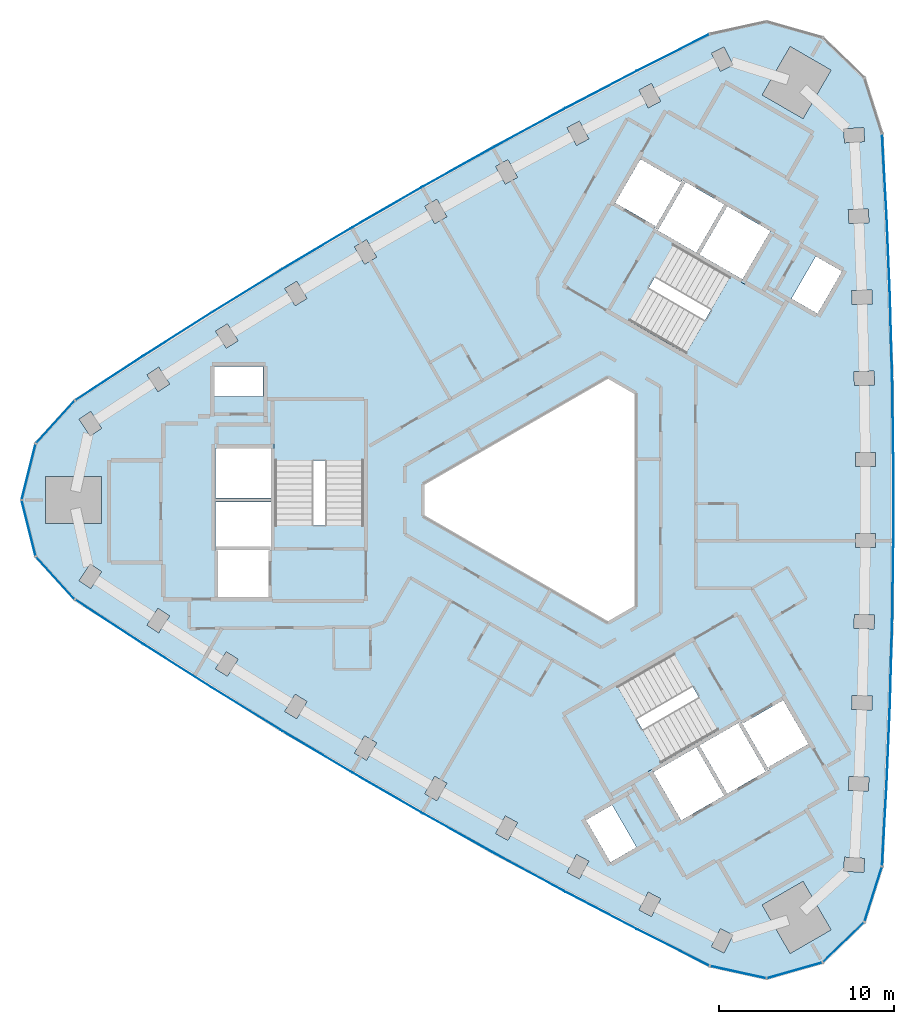
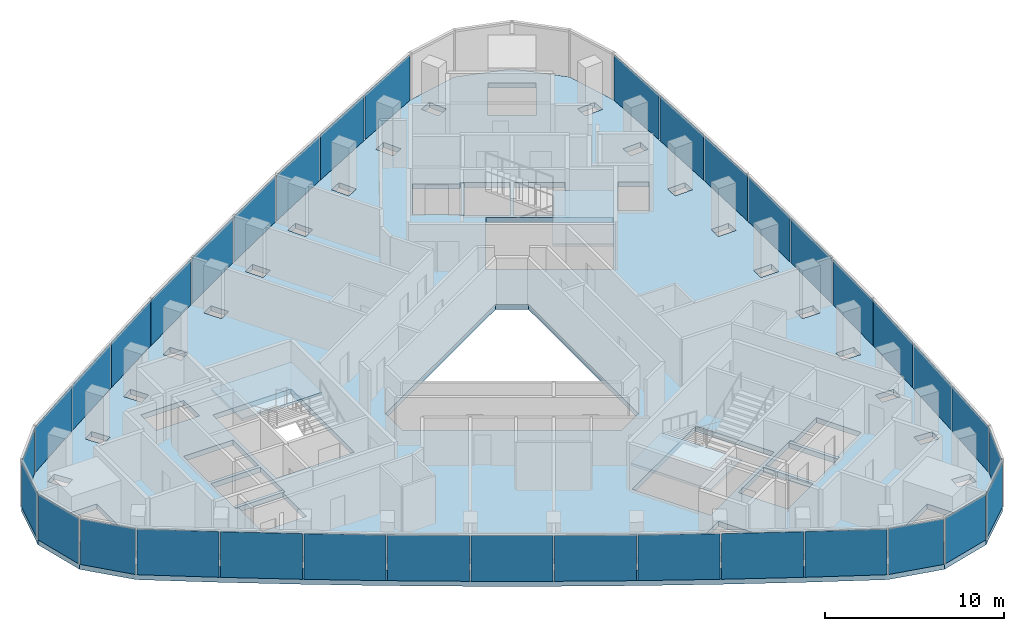
# One storey, part 6 of 12: 35 plates, 4 slabs, 6 elements without a shape of their own.
"""IFC4 building model written with IfcOpenShell, lengths in metres."""

from ifc_helpers import new_model, si_unit, direction, frame, origin, origin_2d, place, context, subcontext, project, spatial, polyline, rectangle, outline, extrude, material, layer, layer_set, type_object, element, aggregate, save


model = new_model("IFC4")

# Units and contexts
model_context = context("Model", 3, precision=1e-05, world=origin(), true_north=direction((0.0, 1.0)))
body_context = subcontext(model_context, "Body", "Model", "MODEL_VIEW")
ifc_project = project(units=[si_unit("LENGTHUNIT", "METRE"), si_unit("AREAUNIT", "SQUARE_METRE"), si_unit("VOLUMEUNIT", "CUBIC_METRE"), si_unit("PLANEANGLEUNIT", "RADIAN"), si_unit("MASSUNIT", "GRAM", prefix="KILO")], contexts=[model_context])

# Site, building, storey
site_placement = place(None, origin())
site = spatial("IfcSite", under=ifc_project, at=site_placement, CompositionType="ELEMENT")
building_placement = place(site_placement, origin())
building = spatial("IfcBuilding", under=site, at=building_placement, Name="Tamra Quay Hotel Tower", CompositionType="ELEMENT")
storey_placement = place(building_placement, frame((0.0, 0.0, 179.199951171875)))
storey = spatial("IfcBuildingStorey", under=building, at=storey_placement, Name="L44", CompositionType="ELEMENT", Elevation=179.199951171875)

# Stair, slab
ifc_material_1 = material(Name="Exit stair 2200 24 risers 150.0 going 342")
stair_type = type_object("IfcStairType", Name="Exit stair 2200 24 risers 150.0 going 342", PredefinedType="HALF_TURN_STAIR", material=ifc_material_1)
stair_1_placement = place(storey_placement, origin())
stair_1 = element("IfcStair", 1, at=stair_1_placement, inside=storey, type_object=stair_type, Name="L44 Exit stair ST3", PredefinedType="HALF_TURN_STAIR")
ifc_material_2 = material(Name="Concrete M70", Category="concrete")
ifc_layer_1 = layer(ifc_material_2, 0.175048828125)
ifc_layer_set_1 = layer_set([ifc_layer_1], Name="Concrete M70 stair landing 180")
slab_type_1 = type_object("IfcSlabType", Name="Concrete M70 stair landing 180", PredefinedType="LANDING", material=ifc_layer_set_1)
slab_1_placement = place(storey_placement, frame((0.0, 0.0, 1.625)))
slab_1 = element("IfcSlab", 2, at=slab_1_placement, type_object=slab_type_1, Name="ST3 landing 1", PredefinedType="LANDING", context=body_context, shape_type="SweptSolid", body=[
    extrude(outline(polyline([(-10.932373046875, 2.261962890625), (-10.932373046875, 5.679931640625), (-16.09130859375, 5.679931640625), (-16.09130859375, 2.261962890625), (-10.932373046875, 2.261962890625)])), origin(), (0.0, 0.0, 1.0), 0.175048828125),
])
aggregate(stair_1, [slab_1])

stair_2_placement = place(storey_placement, origin())
stair_2 = element("IfcStair", 3, at=stair_2_placement, inside=storey, type_object=stair_type, Name="L44 Exit stair ST1", PredefinedType="HALF_TURN_STAIR")
slab_2_placement = place(storey_placement, frame((0.0, 0.0, 1.625)))
slab_2 = element("IfcSlab", 4, at=slab_2_placement, type_object=slab_type_1, Name="ST1 landing 1", PredefinedType="LANDING", context=body_context, shape_type="SweptSolid", body=[
    extrude(outline(polyline([(7.425048828125, 8.336669921875), (10.385009765625, 6.627685546875), (12.964599609375, 11.095458984375), (10.00439453125, 12.804443359375), (7.425048828125, 8.336669921875)])), origin(), (0.0, 0.0, 1.0), 0.175048828125),
])
aggregate(stair_2, [slab_2])

stair_3_placement = place(storey_placement, origin())
stair_3 = element("IfcStair", 5, at=stair_3_placement, inside=storey, type_object=stair_type, Name="L44 Exit stair ST2", PredefinedType="HALF_TURN_STAIR")
slab_3_placement = place(storey_placement, frame((0.0, 0.0, 1.625)))
slab_3 = element("IfcSlab", 6, at=slab_3_placement, type_object=slab_type_1, Name="ST2 landing 1", PredefinedType="LANDING", context=body_context, shape_type="SweptSolid", body=[
    extrude(outline(polyline([(3.50732421875, -10.5986328125), (0.547119140625, -12.3076171875), (3.126708984375, -16.775390625), (6.086669921875, -15.06640625), (3.50732421875, -10.5986328125)])), origin(), (0.0, 0.0, 1.0), 0.175048828125),
])
aggregate(stair_3, [slab_3])

# Slab
ifc_material_3 = material(Name="Concrete M60", Category="concrete")
ifc_layer_2 = layer(ifc_material_3, 0.35009765625)
ifc_layer_set_2 = layer_set([ifc_layer_2], Name="FLOOR SLAB PT 350")
slab_type_2 = type_object("IfcSlabType", Name="FLOOR SLAB PT 350", PredefinedType="FLOOR", material=ifc_layer_set_2)
slab_4_placement = place(storey_placement, frame((0.0, 0.0, -0.349853515625)))
element("IfcSlab", 7, at=slab_4_placement, inside=storey, type_object=slab_type_2, Name="SLAB-L44", PredefinedType="FLOOR", context=body_context, shape_type="SweptSolid", body=[
    extrude(outline(polyline([(18.923583984375, 16.302734375), (19.117431640625, 11.646728515625), (19.246826171875, 6.989501953125), (19.3115234375, 2.330078125), (19.3115234375, -2.330078125), (19.246826171875, -6.989501953125), (19.117431640625, -11.646728515625), (18.923583984375, -16.302734375), (18.665283203125, -20.955078125), (17.65576171875, -24.1259765625), (15.2666015625, -26.4423828125), (12.06591796875, -27.353271484375), (8.81494140625, -26.642333984375), (4.65673828125, -24.539794921875), (0.527587890625, -22.379638671875), (-3.5703125, -20.1630859375), (-7.637939453125, -17.88916015625), (-11.673583984375, -15.55908203125), (-15.676513671875, -13.17333984375), (-19.645263671875, -10.73291015625), (-23.580322265625, -8.23681640625), (-27.48046875, -5.68701171875), (-29.7216796875, -3.227294921875), (-30.532958984375, 0.0), (-29.7216796875, 3.227294921875), (-27.48046875, 5.68701171875), (-23.580322265625, 8.23681640625), (-19.645263671875, 10.73291015625), (-15.676513671875, 13.17333984375), (-11.673583984375, 15.55908203125), (-7.637939453125, 17.88916015625), (-3.5703125, 20.1630859375), (0.527587890625, 22.379638671875), (4.65673828125, 24.539794921875), (8.81494140625, 26.642333984375), (12.06591796875, 27.353271484375), (15.2666015625, 26.4423828125), (17.65576171875, 24.1259765625), (18.665283203125, 20.955078125), (18.923583984375, 16.302734375)]), holes=[polyline([(-11.500244140625, -14.4736328125), (-10.810302734375, -14.87841796875), (-10.228271484375, -13.88671875), (-10.918212890625, -13.481689453125), (-11.500244140625, -14.4736328125)]), polyline([(-14.89208984375, -11.106689453125), (-15.488037109375, -12.09033203125), (-14.8037109375, -12.5048828125), (-14.207763671875, -11.521240234375), (-14.89208984375, -11.106689453125)]), polyline([(-18.83349609375, -8.6767578125), (-19.4423828125, -9.65234375), (-18.763916015625, -10.075927734375), (-18.15478515625, -9.100341796875), (-18.83349609375, -8.6767578125)]), polyline([(-23.362548828125, -7.159423828125), (-22.689697265625, -7.59228515625), (-22.0673828125, -6.62548828125), (-22.739990234375, -6.1923828125), (-23.362548828125, -7.159423828125)]), polyline([(-26.6123046875, -3.654296875), (-27.247802734375, -4.612548828125), (-26.5810546875, -5.0546875), (-25.945556640625, -4.096435546875), (-26.6123046875, -3.654296875)]), polyline([(-16.3173828125, -2.85498046875), (-19.4072265625, -2.85498046875), (-19.4072265625, -2.89306640625), (-19.307373046875, -2.89306640625), (-19.307373046875, -5.544921875), (-16.417236328125, -5.544921875), (-16.417236328125, -2.89306640625), (-16.3173828125, -2.89306640625), (-16.3173828125, -2.85498046875)]), polyline([(-19.417236328125, -2.64501953125), (-16.307373046875, -2.64501953125), (-16.307373046875, -2.89306640625), (-16.26708984375, -2.89306640625), (-16.26708984375, -0.10498046875), (-19.45751953125, -0.10498046875), (-19.45751953125, -2.89306640625), (-19.417236328125, -2.89306640625), (-19.417236328125, -2.64501953125)]), polyline([(-25.958984375, 1.35009765625), (-29.158935546875, 1.35009765625), (-29.158935546875, -1.35009765625), (-25.958984375, -1.35009765625), (-25.958984375, 1.35009765625)]), polyline([(-19.45751953125, 0.10498046875), (-16.26708984375, 0.10498046875), (-16.26708984375, 2.945068359375), (-19.45751953125, 2.945068359375), (-19.45751953125, 0.10498046875)]), polyline([(-10.9873046875, -1.455078125), (-10.9873046875, 5.625), (-16.036376953125, 5.625), (-16.036376953125, -1.455078125), (-10.9873046875, -1.455078125)]), polyline([(-25.945556640625, 4.096435546875), (-26.5810546875, 5.0546875), (-27.247802734375, 4.612548828125), (-26.6123046875, 3.654296875), (-25.945556640625, 4.096435546875)]), polyline([(-16.71728515625, 7.64501953125), (-19.50732421875, 7.64501953125), (-19.50732421875, 5.9150390625), (-16.71728515625, 5.9150390625), (-16.71728515625, 7.64501953125)]), polyline([(-22.689697265625, 7.59228515625), (-23.362548828125, 7.159423828125), (-22.739990234375, 6.1923828125), (-22.0673828125, 6.62548828125), (-22.689697265625, 7.59228515625)]), polyline([(-18.15478515625, 9.100341796875), (-18.763916015625, 10.075927734375), (-19.4423828125, 9.65234375), (-18.83349609375, 8.6767578125), (-18.15478515625, 9.100341796875)]), polyline([(-14.207763671875, 11.521240234375), (-14.8037109375, 12.5048828125), (-15.488037109375, 12.09033203125), (-14.89208984375, 11.106689453125), (-14.207763671875, 11.521240234375)]), polyline([(-10.810302734375, 14.87841796875), (-11.500244140625, 14.4736328125), (-10.918212890625, 13.481689453125), (-10.228271484375, 13.88671875), (-10.810302734375, 14.87841796875)]), polyline([(-6.21630859375, 16.196533203125), (-6.784423828125, 17.1962890625), (-7.47998046875, 16.80126953125), (-6.912109375, 15.801513671875), (-6.21630859375, 16.196533203125)]), polyline([(9.42529296875, -24.517578125), (8.9130859375, -25.547119140625), (9.629150390625, -25.903564453125), (10.141357421875, -24.8740234375), (9.42529296875, -24.517578125)]), polyline([(4.76953125, -23.4462890625), (5.48095703125, -23.812255859375), (6.007080078125, -22.78955078125), (5.2958984375, -22.423583984375), (4.76953125, -23.4462890625)]), polyline([(1.196533203125, -20.272705078125), (0.656005859375, -21.28759765625), (1.362060546875, -21.663818359375), (1.902587890625, -20.648681640625), (1.196533203125, -20.272705078125)]), polyline([(1.73779296875, -18.300048828125), (3.1328125, -20.71630859375), (4.631103515625, -19.851318359375), (3.236083984375, -17.43505859375), (1.73779296875, -18.300048828125)]), polyline([(-3.427734375, -19.072998046875), (-2.7265625, -19.458251953125), (-2.172607421875, -18.4501953125), (-2.873779296875, -18.06494140625), (-3.427734375, -19.072998046875)]), polyline([(-6.912109375, -15.801513671875), (-7.47998046875, -16.80126953125), (-6.784423828125, -17.1962890625), (-6.21630859375, -16.196533203125), (-6.912109375, -15.801513671875)]), polyline([(9.6376953125, -16.903076171875), (8.042724609375, -14.14013671875), (5.5830078125, -15.560302734375), (7.17822265625, -18.322998046875), (9.6376953125, -16.903076171875)]), polyline([(11.999267578125, -15.493408203125), (10.4443359375, -12.800048828125), (10.6591796875, -12.676025390625), (10.63916015625, -12.64111328125), (8.224609375, -14.03515625), (9.819580078125, -16.798095703125), (12.234130859375, -15.404052734375), (12.214111328125, -15.369384765625), (11.999267578125, -15.493408203125)]), polyline([(9.2783203125, -13.160400390625), (6.75390625, -8.78759765625), (0.622314453125, -12.32763671875), (3.146728515625, -16.7001953125), (9.2783203125, -13.160400390625)]), polyline([(3.0, 7.043701171875), (-7.60009765625, 0.923828125), (-7.60009765625, -0.923828125), (3.0, -7.043701171875), (4.60009765625, -6.119873046875), (4.60009765625, 6.119873046875), (3.0, 7.043701171875)]), polyline([(4.2333984375, 10.242919921875), (10.364990234375, 6.702880859375), (12.889404296875, 11.075439453125), (6.758056640625, 14.615478515625), (4.2333984375, 10.242919921875)]), polyline([(7.203125, 18.262451171875), (7.41796875, 18.138427734375), (5.863037109375, 15.445068359375), (5.648193359375, 15.569091796875), (5.628173828125, 15.5341796875), (8.04248046875, 14.140380859375), (9.6376953125, 16.903076171875), (7.22314453125, 18.297119140625), (7.203125, 18.262451171875)]), polyline([(5.68603515625, 15.55859375), (7.231201171875, 18.234619140625), (7.1982421875, 18.253662109375), (7.148193359375, 18.1669921875), (4.8515625, 19.4931640625), (3.406494140625, 16.990234375), (5.703125, 15.664306640625), (5.6533203125, 15.57763671875), (5.68603515625, 15.55859375)]), polyline([(-2.7265625, 19.458251953125), (-3.427734375, 19.072998046875), (-2.873779296875, 18.06494140625), (-2.172607421875, 18.4501953125), (-2.7265625, 19.458251953125)]), polyline([(1.902587890625, 20.648681640625), (1.362060546875, 21.663818359375), (0.656005859375, 21.28759765625), (1.196533203125, 20.272705078125), (1.902587890625, 20.648681640625)]), polyline([(6.007080078125, 22.78955078125), (5.48095703125, 23.812255859375), (4.76953125, 23.4462890625), (5.2958984375, 22.423583984375), (6.007080078125, 22.78955078125)]), polyline([(9.629150390625, 25.903564453125), (8.9130859375, 25.547119140625), (9.42529296875, 24.517578125), (10.141357421875, 24.8740234375), (9.629150390625, 25.903564453125)]), polyline([(11.810302734375, -23.15625), (13.410400390625, -25.927490234375), (15.74853515625, -24.577392578125), (14.148681640625, -21.80615234375), (11.810302734375, -23.15625)]), polyline([(16.470703125, -21.2197265625), (17.61865234375, -21.291015625), (17.668212890625, -20.492431640625), (16.5205078125, -20.42138671875), (16.470703125, -21.2197265625)]), polyline([(17.881591796875, -16.65283203125), (17.920166015625, -15.853759765625), (16.771484375, -15.798095703125), (16.73291015625, -16.59716796875), (17.881591796875, -16.65283203125)]), polyline([(10.631103515625, -12.70361328125), (12.176025390625, -15.379638671875), (12.208984375, -15.360595703125), (12.1591796875, -15.274169921875), (14.455810546875, -13.947998046875), (13.0107421875, -11.4453125), (10.714111328125, -12.771240234375), (10.6640625, -12.6845703125), (10.631103515625, -12.70361328125)]), polyline([(16.930908203125, -11.971923828125), (18.080322265625, -12.011474609375), (18.10791015625, -11.2119140625), (16.95849609375, -11.172607421875), (16.930908203125, -11.971923828125)]), polyline([(18.214599609375, -7.367919921875), (18.2314453125, -6.568115234375), (17.081787109375, -6.543701171875), (17.064697265625, -7.343505859375), (18.214599609375, -7.367919921875)]), polyline([(17.134765625, -2.714599609375), (18.28466796875, -2.72265625), (18.290283203125, -1.9228515625), (17.140380859375, -1.914794921875), (17.134765625, -2.714599609375)]), polyline([(17.140380859375, 1.914794921875), (18.290283203125, 1.9228515625), (18.28466796875, 2.72265625), (17.134765625, 2.714599609375), (17.140380859375, 1.914794921875)]), polyline([(18.2314453125, 6.568115234375), (18.214599609375, 7.367919921875), (17.064697265625, 7.343505859375), (17.081787109375, 6.543701171875), (18.2314453125, 6.568115234375)]), polyline([(16.95849609375, 11.172607421875), (18.10791015625, 11.2119140625), (18.080322265625, 12.011474609375), (16.930908203125, 11.971923828125), (16.95849609375, 11.172607421875)]), polyline([(14.9794921875, 10.655029296875), (16.37451171875, 13.0712890625), (14.876220703125, 13.936279296875), (13.481201171875, 11.52001953125), (14.9794921875, 10.655029296875)]), polyline([(9.819580078125, 16.798095703125), (8.224365234375, 14.035400390625), (10.68408203125, 12.615234375), (12.279052734375, 15.378173828125), (9.819580078125, 16.798095703125)]), polyline([(16.771484375, 15.798095703125), (17.920166015625, 15.853759765625), (17.881591796875, 16.65283203125), (16.73291015625, 16.59716796875), (16.771484375, 15.798095703125)]), polyline([(16.5205078125, 20.42138671875), (17.668212890625, 20.492431640625), (17.61865234375, 21.291015625), (16.470703125, 21.2197265625), (16.5205078125, 20.42138671875)]), polyline([(14.148681640625, 21.80615234375), (15.74853515625, 24.577392578125), (13.410400390625, 25.927490234375), (11.810302734375, 23.15625), (14.148681640625, 21.80615234375)])]), origin(), (0.0, 0.0, 1.0), 0.349853515625),
])

# Curtain wall, plates
ifc_material_4 = material(Name="Aluminium 6063 anodised dark grey", Category="aluminium")
curtain_wall_type_1 = type_object("IfcCurtainWallType", Name="CW1 CURTAIN WALL", PredefinedType="NOTDEFINED", material=ifc_material_4)
curtain_wall_1_placement = place(storey_placement, origin())
curtain_wall_1 = element("IfcCurtainWall", 8, at=curtain_wall_1_placement, inside=storey, type_object=curtain_wall_type_1, Name="CW1 east face L44", PredefinedType="NOTDEFINED")
ifc_material_5 = material(Name="Glass clear laminated low-iron", Category="glass")
ifc_layer_3 = layer(ifc_material_5, 0.030029296875)
ifc_layer_set_3 = layer_set([ifc_layer_3], Name="GLASS PANEL CW1 Z4")
plate_type_1 = type_object("IfcPlateType", Name="GLASS PANEL CW1 Z4", PredefinedType="CURTAIN_PANEL", material=ifc_layer_set_3)
plate_1_placement = place(storey_placement, frame((18.79443359375, -18.62890625, 0.0), z_axis=(0.0, 0.0, 1.0), x_axis=(0.055416978175, 0.998463298539, 0.0)))
plate_1 = element("IfcPlate", 9, at=plate_1_placement, type_object=plate_type_1, Name="CW1 glass L44.E.1", PredefinedType="CURTAIN_PANEL", context=body_context, shape_type="SweptSolid", body=[
    extrude(rectangle(XDim=4.5595703125, YDim=0.030029296875, at=origin_2d()), origin(), (0.0, 0.0, 1.0), 3.110107421875),
])
plate_2_placement = place(storey_placement, frame((19.0205078125, -13.974853515625, 0.0), z_axis=(0.0, 0.0, 1.0), x_axis=(0.041599830799, 0.999134352366, 0.0)))
plate_2 = element("IfcPlate", 10, at=plate_2_placement, type_object=plate_type_1, Name="CW1 glass L44.E.2", PredefinedType="CURTAIN_PANEL", context=body_context, shape_type="SweptSolid", body=[
    extrude(rectangle(XDim=4.56005859375, YDim=0.030029296875, at=origin_2d()), origin(), (0.0, 0.0, 1.0), 3.110107421875),
])
plate_3_placement = place(storey_placement, frame((19.18212890625, -9.318115234375, 0.0), z_axis=(0.0, 0.0, 1.0), x_axis=(0.02775369181, 0.999614792103, 0.0)))
plate_3 = element("IfcPlate", 11, at=plate_3_placement, type_object=plate_type_1, Name="CW1 glass L44.E.3", PredefinedType="CURTAIN_PANEL", context=body_context, shape_type="SweptSolid", body=[
    extrude(rectangle(XDim=4.55908203125, YDim=0.030029296875, at=origin_2d()), origin(), (0.0, 0.0, 1.0), 3.110107421875),
])
plate_4_placement = place(storey_placement, frame((19.279052734375, -4.65966796875, 0.0), z_axis=(0.0, 0.0, 1.0), x_axis=(0.013885994278, 0.999903584934, 0.0)))
plate_4 = element("IfcPlate", 12, at=plate_4_placement, type_object=plate_type_1, Name="CW1 glass L44.E.4", PredefinedType="CURTAIN_PANEL", context=body_context, shape_type="SweptSolid", body=[
    extrude(rectangle(XDim=4.56005859375, YDim=0.030029296875, at=origin_2d()), origin(), (0.0, 0.0, 1.0), 3.110107421875),
])
plate_5_placement = place(storey_placement, frame((19.3115234375, 0.0, 0.0), z_axis=(0.0, 0.0, 1.0), x_axis=(0.0, 1.0, 0.0)))
plate_5 = element("IfcPlate", 13, at=plate_5_placement, type_object=plate_type_1, Name="CW1 glass L44.E.5", PredefinedType="CURTAIN_PANEL", context=body_context, shape_type="SweptSolid", body=[
    extrude(rectangle(XDim=4.56005859375, YDim=0.030029296875, at=origin_2d()), origin(), (0.0, 0.0, 1.0), 3.110107421875),
])
plate_6_placement = place(storey_placement, frame((19.279052734375, 4.65966796875, 0.0), z_axis=(0.0, 0.0, 1.0), x_axis=(-0.013885994278, 0.999903584934, 0.0)))
plate_6 = element("IfcPlate", 14, at=plate_6_placement, type_object=plate_type_1, Name="CW1 glass L44.E.6", PredefinedType="CURTAIN_PANEL", context=body_context, shape_type="SweptSolid", body=[
    extrude(rectangle(XDim=4.56005859375, YDim=0.030029296875, at=origin_2d()), origin(), (0.0, 0.0, 1.0), 3.110107421875),
])
plate_7_placement = place(storey_placement, frame((19.18212890625, 9.318115234375, 0.0), z_axis=(0.0, 0.0, 1.0), x_axis=(-0.02775369181, 0.999614792103, 0.0)))
plate_7 = element("IfcPlate", 15, at=plate_7_placement, type_object=plate_type_1, Name="CW1 glass L44.E.7", PredefinedType="CURTAIN_PANEL", context=body_context, shape_type="SweptSolid", body=[
    extrude(rectangle(XDim=4.55908203125, YDim=0.030029296875, at=origin_2d()), origin(), (0.0, 0.0, 1.0), 3.110107421875),
])
plate_8_placement = place(storey_placement, frame((19.0205078125, 13.974853515625, 0.0), z_axis=(0.0, 0.0, 1.0), x_axis=(-0.041599830799, 0.999134352366, 0.0)))
plate_8 = element("IfcPlate", 16, at=plate_8_placement, type_object=plate_type_1, Name="CW1 glass L44.E.8", PredefinedType="CURTAIN_PANEL", context=body_context, shape_type="SweptSolid", body=[
    extrude(rectangle(XDim=4.56005859375, YDim=0.030029296875, at=origin_2d()), origin(), (0.0, 0.0, 1.0), 3.110107421875),
])
plate_9_placement = place(storey_placement, frame((18.79443359375, 18.62890625, 0.0), z_axis=(0.0, 0.0, 1.0), x_axis=(-0.055416978175, 0.998463298539, 0.0)))
plate_9 = element("IfcPlate", 17, at=plate_9_placement, type_object=plate_type_1, Name="CW1 glass L44.E.9", PredefinedType="CURTAIN_PANEL", context=body_context, shape_type="SweptSolid", body=[
    extrude(rectangle(XDim=4.5595703125, YDim=0.030029296875, at=origin_2d()), origin(), (0.0, 0.0, 1.0), 3.110107421875),
])
aggregate(curtain_wall_1, [plate_1, plate_2, plate_3, plate_4, plate_5, plate_6, plate_7, plate_8, plate_9])

curtain_wall_type_2 = type_object("IfcCurtainWallType", Name="CW2 CURTAIN WALL", PredefinedType="NOTDEFINED", material=ifc_material_4)
curtain_wall_2_placement = place(storey_placement, origin())
curtain_wall_2 = element("IfcCurtainWall", 18, at=curtain_wall_2_placement, inside=storey, type_object=curtain_wall_type_2, Name="CW2 north-west face L44", PredefinedType="NOTDEFINED")
ifc_layer_4 = layer(ifc_material_5, 0.030029296875)
ifc_layer_set_4 = layer_set([ifc_layer_4], Name="GLASS PANEL CW2 Z4")
plate_type_2 = type_object("IfcPlateType", Name="GLASS PANEL CW2 Z4", PredefinedType="CURTAIN_PANEL", material=ifc_layer_set_4)
plate_10_placement = place(storey_placement, frame((6.73583984375, 25.591064453125, 0.0), z_axis=(0.0, 0.0, 1.0), x_axis=(-0.892403070369, -0.451239138369, 0.0)))
plate_10 = element("IfcPlate", 19, at=plate_10_placement, type_object=plate_type_2, Name="CW2 glass L44.NW.1", PredefinedType="CURTAIN_PANEL", context=body_context, shape_type="SweptSolid", body=[
    extrude(rectangle(XDim=4.5595703125, YDim=0.030029296875, at=origin_2d()), origin(), (0.0, 0.0, 1.0), 3.110107421875),
])
plate_11_placement = place(storey_placement, frame((2.59228515625, 23.459716796875, 0.0), z_axis=(0.0, 0.0, 1.0), x_axis=(-0.886075646342, -0.463540665918, 0.0)))
plate_11 = element("IfcPlate", 20, at=plate_11_placement, type_object=plate_type_2, Name="CW2 glass L44.NW.2", PredefinedType="CURTAIN_PANEL", context=body_context, shape_type="SweptSolid", body=[
    extrude(rectangle(XDim=4.56005859375, YDim=0.030029296875, at=origin_2d()), origin(), (0.0, 0.0, 1.0), 3.110107421875),
])
plate_12_placement = place(storey_placement, frame((-1.521240234375, 21.271240234375, 0.0), z_axis=(0.0, 0.0, 1.0), x_axis=(-0.879568649865, -0.475771993896, 0.0)))
plate_12 = element("IfcPlate", 21, at=plate_12_placement, type_object=plate_type_2, Name="CW2 glass L44.NW.3", PredefinedType="CURTAIN_PANEL", context=body_context, shape_type="SweptSolid", body=[
    extrude(rectangle(XDim=4.55908203125, YDim=0.030029296875, at=origin_2d()), origin(), (0.0, 0.0, 1.0), 3.110107421875),
])
plate_13_placement = place(storey_placement, frame((-5.60400390625, 19.026123046875, 0.0), z_axis=(0.0, 0.0, 1.0), x_axis=(-0.872884903026, -0.487926168665, 0.0)))
plate_13 = element("IfcPlate", 22, at=plate_13_placement, type_object=plate_type_2, Name="CW2 glass L44.NW.4", PredefinedType="CURTAIN_PANEL", context=body_context, shape_type="SweptSolid", body=[
    extrude(rectangle(XDim=4.56005859375, YDim=0.030029296875, at=origin_2d()), origin(), (0.0, 0.0, 1.0), 3.110107421875),
])
plate_14_placement = place(storey_placement, frame((-9.65576171875, 16.72412109375, 0.0), z_axis=(0.0, 0.0, 1.0), x_axis=(-0.866025403784, -0.5, 0.0)))
plate_14 = element("IfcPlate", 23, at=plate_14_placement, type_object=plate_type_2, Name="CW2 glass L44.NW.5", PredefinedType="CURTAIN_PANEL", context=body_context, shape_type="SweptSolid", body=[
    extrude(rectangle(XDim=4.56005859375, YDim=0.030029296875, at=origin_2d()), origin(), (0.0, 0.0, 1.0), 3.110107421875),
])
plate_15_placement = place(storey_placement, frame((-13.675048828125, 14.3662109375, 0.0), z_axis=(0.0, 0.0, 1.0), x_axis=(-0.858998908749, -0.511977416268, 0.0)))
plate_15 = element("IfcPlate", 24, at=plate_15_placement, type_object=plate_type_2, Name="CW2 glass L44.NW.6", PredefinedType="CURTAIN_PANEL", context=body_context, shape_type="SweptSolid", body=[
    extrude(rectangle(XDim=4.56005859375, YDim=0.030029296875, at=origin_2d()), origin(), (0.0, 0.0, 1.0), 3.110107421875),
])
plate_16_placement = place(storey_placement, frame((-17.660888671875, 11.953125, 0.0), z_axis=(0.0, 0.0, 1.0), x_axis=(-0.851814958055, -0.523842798207, 0.0)))
plate_16 = element("IfcPlate", 25, at=plate_16_placement, type_object=plate_type_2, Name="CW2 glass L44.NW.7", PredefinedType="CURTAIN_PANEL", context=body_context, shape_type="SweptSolid", body=[
    extrude(rectangle(XDim=4.55908203125, YDim=0.030029296875, at=origin_2d()), origin(), (0.0, 0.0, 1.0), 3.110107421875),
])
plate_17_placement = place(storey_placement, frame((-21.61279296875, 9.48486328125, 0.0), z_axis=(0.0, 0.0, 1.0), x_axis=(-0.844475815543, -0.535593686448, 0.0)))
plate_17 = element("IfcPlate", 26, at=plate_17_placement, type_object=plate_type_2, Name="CW2 glass L44.NW.8", PredefinedType="CURTAIN_PANEL", context=body_context, shape_type="SweptSolid", body=[
    extrude(rectangle(XDim=4.56005859375, YDim=0.030029296875, at=origin_2d()), origin(), (0.0, 0.0, 1.0), 3.110107421875),
])
plate_18_placement = place(storey_placement, frame((-25.5302734375, 6.962158203125, 0.0), z_axis=(0.0, 0.0, 1.0), x_axis=(-0.836986092194, -0.54722416017, 0.0)))
plate_18 = element("IfcPlate", 27, at=plate_18_placement, type_object=plate_type_2, Name="CW2 glass L44.NW.9", PredefinedType="CURTAIN_PANEL", context=body_context, shape_type="SweptSolid", body=[
    extrude(rectangle(XDim=4.5595703125, YDim=0.030029296875, at=origin_2d()), origin(), (0.0, 0.0, 1.0), 3.110107421875),
])
plate_19_placement = place(storey_placement, frame((-28.60107421875, 4.457275390625, 0.0), z_axis=(0.0, 0.0, 1.0), x_axis=(-0.673495681519, -0.739191157262, 0.0)))
plate_19 = element("IfcPlate", 28, at=plate_19_placement, type_object=plate_type_2, Name="CW2 glass L44.NW.10", PredefinedType="CURTAIN_PANEL", context=body_context, shape_type="SweptSolid", body=[
    extrude(rectangle(XDim=3.227783203125, YDim=0.030029296875, at=origin_2d()), origin(), (0.0, 0.0, 1.0), 3.110107421875),
])
plate_20_placement = place(storey_placement, frame((-30.127197265625, 1.61376953125, 0.0), z_axis=(0.0, 0.0, 1.0), x_axis=(-0.243826260198, -0.969818928892, 0.0)))
plate_20 = element("IfcPlate", 29, at=plate_20_placement, type_object=plate_type_2, Name="CW2 glass L44.NW.11", PredefinedType="CURTAIN_PANEL", context=body_context, shape_type="SweptSolid", body=[
    extrude(rectangle(XDim=3.227783203125, YDim=0.030029296875, at=origin_2d()), origin(), (0.0, 0.0, 1.0), 3.110107421875),
])
plate_21_placement = place(storey_placement, frame((-30.127197265625, -1.61376953125, 0.0), z_axis=(0.0, 0.0, 1.0), x_axis=(0.243826260198, -0.969818928892, 0.0)))
plate_21 = element("IfcPlate", 30, at=plate_21_placement, type_object=plate_type_2, Name="CW2 glass L44.NW.12", PredefinedType="CURTAIN_PANEL", context=body_context, shape_type="SweptSolid", body=[
    extrude(rectangle(XDim=3.227783203125, YDim=0.030029296875, at=origin_2d()), origin(), (0.0, 0.0, 1.0), 3.110107421875),
])
plate_22_placement = place(storey_placement, frame((-28.60107421875, -4.457275390625, 0.0), z_axis=(0.0, 0.0, 1.0), x_axis=(0.673495681519, -0.739191157262, 0.0)))
plate_22 = element("IfcPlate", 31, at=plate_22_placement, type_object=plate_type_2, Name="CW2 glass L44.NW.13", PredefinedType="CURTAIN_PANEL", context=body_context, shape_type="SweptSolid", body=[
    extrude(rectangle(XDim=3.227783203125, YDim=0.030029296875, at=origin_2d()), origin(), (0.0, 0.0, 1.0), 3.110107421875),
])
aggregate(curtain_wall_2, [plate_10, plate_11, plate_12, plate_13, plate_14, plate_15, plate_16, plate_17, plate_18, plate_19, plate_20, plate_21, plate_22])

curtain_wall_type_3 = type_object("IfcCurtainWallType", Name="CW3 CURTAIN WALL", PredefinedType="NOTDEFINED", material=ifc_material_4)
curtain_wall_3_placement = place(storey_placement, origin())
curtain_wall_3 = element("IfcCurtainWall", 32, at=curtain_wall_3_placement, inside=storey, type_object=curtain_wall_type_3, Name="CW3 south-west face L44", PredefinedType="NOTDEFINED")
ifc_layer_5 = layer(ifc_material_5, 0.030029296875)
ifc_layer_set_5 = layer_set([ifc_layer_5], Name="GLASS PANEL CW3 Z4")
plate_type_3 = type_object("IfcPlateType", Name="GLASS PANEL CW3 Z4", PredefinedType="CURTAIN_PANEL", material=ifc_layer_set_5)
plate_23_placement = place(storey_placement, frame((-25.5302734375, -6.962158203125, 0.0), z_axis=(0.0, 0.0, 1.0), x_axis=(0.836986092194, -0.54722416017, 0.0)))
plate_23 = element("IfcPlate", 33, at=plate_23_placement, type_object=plate_type_3, Name="CW3 glass L44.SW.1", PredefinedType="CURTAIN_PANEL", context=body_context, shape_type="SweptSolid", body=[
    extrude(rectangle(XDim=4.5595703125, YDim=0.030029296875, at=origin_2d()), origin(), (0.0, 0.0, 1.0), 3.110107421875),
])
plate_24_placement = place(storey_placement, frame((-21.61279296875, -9.48486328125, 0.0), z_axis=(0.0, 0.0, 1.0), x_axis=(0.844475815543, -0.535593686448, 0.0)))
plate_24 = element("IfcPlate", 34, at=plate_24_placement, type_object=plate_type_3, Name="CW3 glass L44.SW.2", PredefinedType="CURTAIN_PANEL", context=body_context, shape_type="SweptSolid", body=[
    extrude(rectangle(XDim=4.56005859375, YDim=0.030029296875, at=origin_2d()), origin(), (0.0, 0.0, 1.0), 3.110107421875),
])
plate_25_placement = place(storey_placement, frame((-17.660888671875, -11.953125, 0.0), z_axis=(0.0, 0.0, 1.0), x_axis=(0.851814958055, -0.523842798207, 0.0)))
plate_25 = element("IfcPlate", 35, at=plate_25_placement, type_object=plate_type_3, Name="CW3 glass L44.SW.3", PredefinedType="CURTAIN_PANEL", context=body_context, shape_type="SweptSolid", body=[
    extrude(rectangle(XDim=4.55908203125, YDim=0.030029296875, at=origin_2d()), origin(), (0.0, 0.0, 1.0), 3.110107421875),
])
plate_26_placement = place(storey_placement, frame((-13.675048828125, -14.3662109375, 0.0), z_axis=(0.0, 0.0, 1.0), x_axis=(0.858998908749, -0.511977416268, 0.0)))
plate_26 = element("IfcPlate", 36, at=plate_26_placement, type_object=plate_type_3, Name="CW3 glass L44.SW.4", PredefinedType="CURTAIN_PANEL", context=body_context, shape_type="SweptSolid", body=[
    extrude(rectangle(XDim=4.56005859375, YDim=0.030029296875, at=origin_2d()), origin(), (0.0, 0.0, 1.0), 3.110107421875),
])
plate_27_placement = place(storey_placement, frame((-9.65576171875, -16.72412109375, 0.0), z_axis=(0.0, 0.0, 1.0), x_axis=(0.866025403784, -0.5, 0.0)))
plate_27 = element("IfcPlate", 37, at=plate_27_placement, type_object=plate_type_3, Name="CW3 glass L44.SW.5", PredefinedType="CURTAIN_PANEL", context=body_context, shape_type="SweptSolid", body=[
    extrude(rectangle(XDim=4.56005859375, YDim=0.030029296875, at=origin_2d()), origin(), (0.0, 0.0, 1.0), 3.110107421875),
])
plate_28_placement = place(storey_placement, frame((-5.60400390625, -19.026123046875, 0.0), z_axis=(0.0, 0.0, 1.0), x_axis=(0.872884903026, -0.487926168665, 0.0)))
plate_28 = element("IfcPlate", 38, at=plate_28_placement, type_object=plate_type_3, Name="CW3 glass L44.SW.6", PredefinedType="CURTAIN_PANEL", context=body_context, shape_type="SweptSolid", body=[
    extrude(rectangle(XDim=4.56005859375, YDim=0.030029296875, at=origin_2d()), origin(), (0.0, 0.0, 1.0), 3.110107421875),
])
plate_29_placement = place(storey_placement, frame((-1.521240234375, -21.271240234375, 0.0), z_axis=(0.0, 0.0, 1.0), x_axis=(0.879568649865, -0.475771993896, 0.0)))
plate_29 = element("IfcPlate", 39, at=plate_29_placement, type_object=plate_type_3, Name="CW3 glass L44.SW.7", PredefinedType="CURTAIN_PANEL", context=body_context, shape_type="SweptSolid", body=[
    extrude(rectangle(XDim=4.55908203125, YDim=0.030029296875, at=origin_2d()), origin(), (0.0, 0.0, 1.0), 3.110107421875),
])
plate_30_placement = place(storey_placement, frame((2.59228515625, -23.459716796875, 0.0), z_axis=(0.0, 0.0, 1.0), x_axis=(0.886075646342, -0.463540665918, 0.0)))
plate_30 = element("IfcPlate", 40, at=plate_30_placement, type_object=plate_type_3, Name="CW3 glass L44.SW.8", PredefinedType="CURTAIN_PANEL", context=body_context, shape_type="SweptSolid", body=[
    extrude(rectangle(XDim=4.56005859375, YDim=0.030029296875, at=origin_2d()), origin(), (0.0, 0.0, 1.0), 3.110107421875),
])
plate_31_placement = place(storey_placement, frame((6.73583984375, -25.591064453125, 0.0), z_axis=(0.0, 0.0, 1.0), x_axis=(0.892403070369, -0.451239138369, 0.0)))
plate_31 = element("IfcPlate", 41, at=plate_31_placement, type_object=plate_type_3, Name="CW3 glass L44.SW.9", PredefinedType="CURTAIN_PANEL", context=body_context, shape_type="SweptSolid", body=[
    extrude(rectangle(XDim=4.5595703125, YDim=0.030029296875, at=origin_2d()), origin(), (0.0, 0.0, 1.0), 3.110107421875),
])
plate_32_placement = place(storey_placement, frame((10.4404296875, -26.997802734375, 0.0), z_axis=(0.0, 0.0, 1.0), x_axis=(0.976906161202, -0.213668790904, 0.0)))
plate_32 = element("IfcPlate", 42, at=plate_32_placement, type_object=plate_type_3, Name="CW3 glass L44.SW.10", PredefinedType="CURTAIN_PANEL", context=body_context, shape_type="SweptSolid", body=[
    extrude(rectangle(XDim=3.227783203125, YDim=0.030029296875, at=origin_2d()), origin(), (0.0, 0.0, 1.0), 3.110107421875),
])
plate_33_placement = place(storey_placement, frame((13.666259765625, -26.897705078125, 0.0), z_axis=(0.0, 0.0, 1.0), x_axis=(0.961800959591, 0.273749729005, 0.0)))
plate_33 = element("IfcPlate", 43, at=plate_33_placement, type_object=plate_type_3, Name="CW3 glass L44.SW.11", PredefinedType="CURTAIN_PANEL", context=body_context, shape_type="SweptSolid", body=[
    extrude(rectangle(XDim=3.227783203125, YDim=0.030029296875, at=origin_2d()), origin(), (0.0, 0.0, 1.0), 3.110107421875),
])
plate_34_placement = place(storey_placement, frame((16.461181640625, -25.2841796875, 0.0), z_axis=(0.0, 0.0, 1.0), x_axis=(0.717974699393, 0.696069199888, 0.0)))
plate_34 = element("IfcPlate", 44, at=plate_34_placement, type_object=plate_type_3, Name="CW3 glass L44.SW.12", PredefinedType="CURTAIN_PANEL", context=body_context, shape_type="SweptSolid", body=[
    extrude(rectangle(XDim=3.227783203125, YDim=0.030029296875, at=origin_2d()), origin(), (0.0, 0.0, 1.0), 3.110107421875),
])
plate_35_placement = place(storey_placement, frame((18.16064453125, -22.54052734375, 0.0), z_axis=(0.0, 0.0, 1.0), x_axis=(0.303410479682, 0.952859948166, 0.0)))
plate_35 = element("IfcPlate", 45, at=plate_35_placement, type_object=plate_type_3, Name="CW3 glass L44.SW.13", PredefinedType="CURTAIN_PANEL", context=body_context, shape_type="SweptSolid", body=[
    extrude(rectangle(XDim=3.227783203125, YDim=0.030029296875, at=origin_2d()), origin(), (0.0, 0.0, 1.0), 3.110107421875),
])
aggregate(curtain_wall_3, [plate_23, plate_24, plate_25, plate_26, plate_27, plate_28, plate_29, plate_30, plate_31, plate_32, plate_33, plate_34, plate_35])

save(model, "model.ifc")
